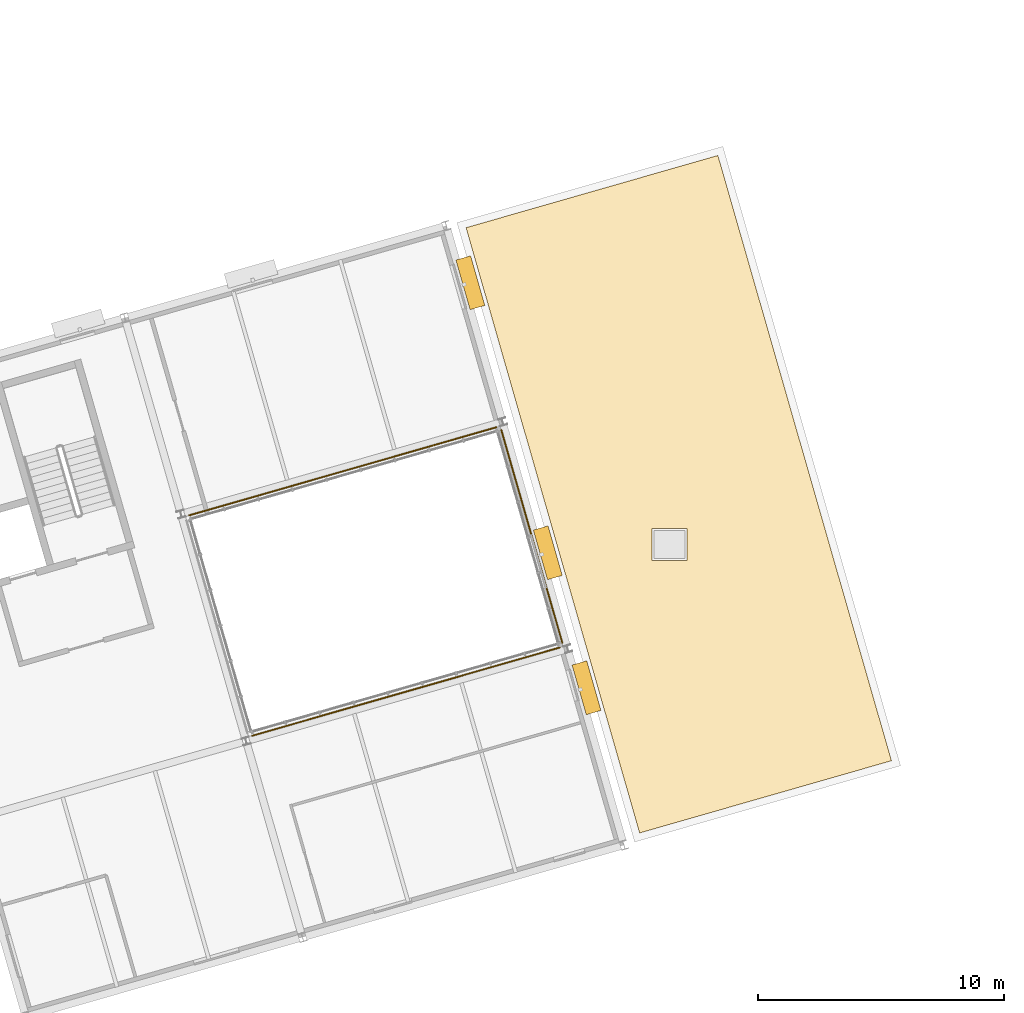
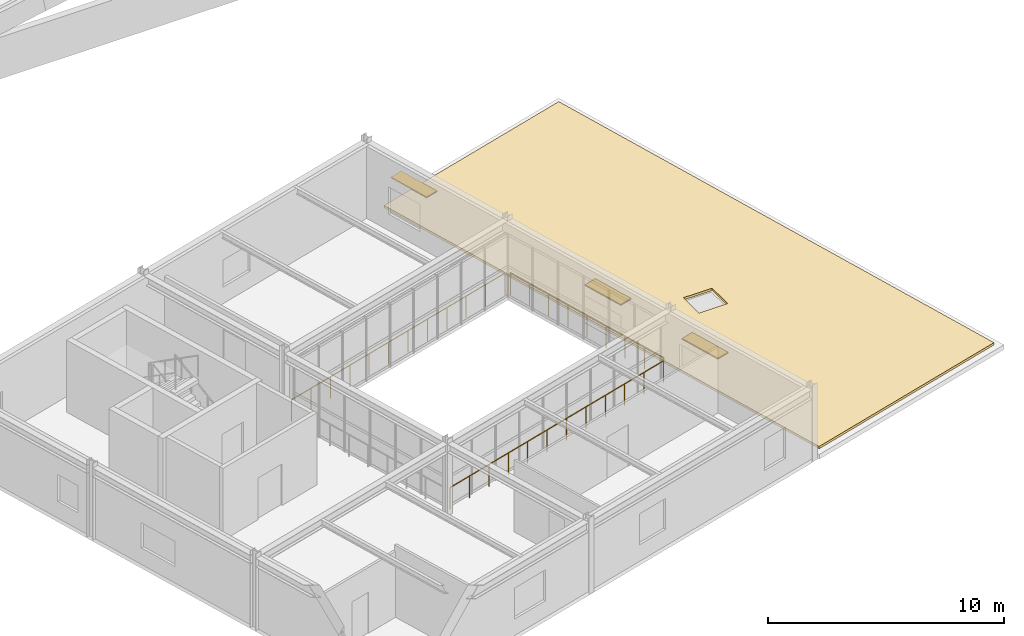
# One storey, part 44 of 44: 3 railings, 3 shading devices, 1 covering.
"""IFC4 building model written with IfcOpenShell, lengths in metres."""

from ifc_helpers import new_model, si_unit, direction, frame, origin, origin_2d, place, context, subcontext, project, spatial, polyline, rectangle, circle, outline, extrude, material, layer, layer_set, type_object, element, save


model = new_model("IFC4")

# Units and contexts
model_context = context("Model", 3, precision=1e-05, world=origin(), true_north=direction((0.0, 1.0)))
body_context = subcontext(model_context, "Body", "Model", "MODEL_VIEW")
ifc_project = project(units=[si_unit("LENGTHUNIT", "METRE"), si_unit("AREAUNIT", "SQUARE_METRE"), si_unit("VOLUMEUNIT", "CUBIC_METRE"), si_unit("PLANEANGLEUNIT", "RADIAN"), si_unit("MASSUNIT", "GRAM", prefix="KILO")], contexts=[model_context])

# Site, building, storey
site_placement = place(None, origin())
site = spatial("IfcSite", under=ifc_project, at=site_placement, CompositionType="ELEMENT")
building_placement = place(site_placement, origin())
building = spatial("IfcBuilding", under=site, at=building_placement, Name="Varnklinge Art Gallery", CompositionType="ELEMENT")
storey_placement = place(building_placement, frame((0.0, 0.0, 13.679931640625)))
storey = spatial("IfcBuildingStorey", under=building, at=storey_placement, Name="L03", CompositionType="ELEMENT", Elevation=13.679931640625)

# Railings
ifc_material_1 = material(Name="Anodised Aluminium", Category="aluminium")
railing_type = type_object("IfcRailingType", Name="BAL-01", PredefinedType="BALUSTRADE", material=ifc_material_1)
railing_1_placement = place(storey_placement, frame((146.53271484375, 24.812255859375, 0.0)))
element("IfcRailing", 1, at=railing_1_placement, inside=storey, type_object=railing_type, Name="BAL-V6C-L03-1", PredefinedType="BALUSTRADE", context=body_context, shape_type="SweptSolid", body=[
    extrude(circle(Radius=0.02392578125, at=origin_2d()), frame((0.0, 0.0, 1.11572265625), z_axis=(-0.961262007285, -0.275636270019, 0.0), x_axis=(0.275636270019, -0.961262007285, 0.0)), (0.0, 0.0, 1.0), 13.0),
    extrude(circle(Radius=0.02099609375, at=origin_2d()), origin(), (0.0, 0.0, 1.0), 1.091796875),
    extrude(circle(Radius=0.02099609375, at=origin_2d()), frame((-1.135986328125, -0.32568359375, 0.0)), (0.0, 0.0, 1.0), 1.091796875),
    extrude(circle(Radius=0.02099609375, at=origin_2d()), frame((-2.27197265625, -0.651611328125, 0.0)), (0.0, 0.0, 1.0), 1.091796875),
    extrude(circle(Radius=0.02099609375, at=origin_2d()), frame((-3.408203125, -0.977294921875, 0.0)), (0.0, 0.0, 1.0), 1.091796875),
    extrude(circle(Radius=0.02099609375, at=origin_2d()), frame((-4.544189453125, -1.302978515625, 0.0)), (0.0, 0.0, 1.0), 1.091796875),
    extrude(circle(Radius=0.02099609375, at=origin_2d()), frame((-5.68017578125, -1.628662109375, 0.0)), (0.0, 0.0, 1.0), 1.091796875),
    extrude(circle(Radius=0.02099609375, at=origin_2d()), frame((-6.816162109375, -1.95458984375, 0.0)), (0.0, 0.0, 1.0), 1.091796875),
    extrude(circle(Radius=0.02099609375, at=origin_2d()), frame((-7.9521484375, -2.2802734375, 0.0)), (0.0, 0.0, 1.0), 1.091796875),
    extrude(circle(Radius=0.02099609375, at=origin_2d()), frame((-9.088134765625, -2.60595703125, 0.0)), (0.0, 0.0, 1.0), 1.091796875),
    extrude(circle(Radius=0.02099609375, at=origin_2d()), frame((-10.224365234375, -2.931640625, 0.0)), (0.0, 0.0, 1.0), 1.091796875),
    extrude(circle(Radius=0.02099609375, at=origin_2d()), frame((-11.3603515625, -3.257568359375, 0.0)), (0.0, 0.0, 1.0), 1.091796875),
    extrude(circle(Radius=0.02099609375, at=origin_2d()), frame((-12.496337890625, -3.583251953125, 0.0)), (0.0, 0.0, 1.0), 1.091796875),
])
railing_2_placement = place(storey_placement, frame((144.16162109375, 33.661376953125, 0.0)))
element("IfcRailing", 2, at=railing_2_placement, inside=storey, type_object=railing_type, Name="BAL-V6C-L03-2", PredefinedType="BALUSTRADE", context=body_context, shape_type="SweptSolid", body=[
    extrude(circle(Radius=0.02392578125, at=origin_2d()), frame((0.0, 0.0, 1.11572265625), z_axis=(0.275634611374, -0.96126248289, 0.0), x_axis=(0.96126248289, 0.275634611374, 0.0)), (0.0, 0.0, 1.0), 9.0),
    extrude(circle(Radius=0.02099609375, at=origin_2d()), origin(), (0.0, 0.0, 1.0), 1.091796875),
    extrude(circle(Radius=0.02099609375, at=origin_2d()), frame((0.31005859375, -1.08154296875, 0.0)), (0.0, 0.0, 1.0), 1.091796875),
    extrude(circle(Radius=0.02099609375, at=origin_2d()), frame((0.6201171875, -2.162841796875, 0.0)), (0.0, 0.0, 1.0), 1.091796875),
    extrude(circle(Radius=0.02099609375, at=origin_2d()), frame((0.93017578125, -3.244140625, 0.0)), (0.0, 0.0, 1.0), 1.091796875),
    extrude(circle(Radius=0.02099609375, at=origin_2d()), frame((1.240234375, -4.32568359375, 0.0)), (0.0, 0.0, 1.0), 1.091796875),
    extrude(circle(Radius=0.02099609375, at=origin_2d()), frame((1.550537109375, -5.4072265625, 0.0)), (0.0, 0.0, 1.0), 1.091796875),
    extrude(circle(Radius=0.02099609375, at=origin_2d()), frame((1.860595703125, -6.488525390625, 0.0)), (0.0, 0.0, 1.0), 1.091796875),
    extrude(circle(Radius=0.02099609375, at=origin_2d()), frame((2.170654296875, -7.56982421875, 0.0)), (0.0, 0.0, 1.0), 1.091796875),
    extrude(circle(Radius=0.02099609375, at=origin_2d()), frame((2.480712890625, -8.6513671875, 0.0)), (0.0, 0.0, 1.0), 1.091796875),
])
railing_3_placement = place(storey_placement, frame((131.46728515625, 30.187744140625, 0.0)))
element("IfcRailing", 3, at=railing_3_placement, inside=storey, type_object=railing_type, Name="BAL-V6C-L03-3", PredefinedType="BALUSTRADE", context=body_context, shape_type="SweptSolid", body=[
    extrude(circle(Radius=0.02392578125, at=origin_2d()), frame((0.0, 0.0, 1.11572265625), z_axis=(0.961262007285, 0.275636270019, 0.0), x_axis=(-0.275636270019, 0.961262007285, 0.0)), (0.0, 0.0, 1.0), 13.0),
    extrude(circle(Radius=0.02099609375, at=origin_2d()), origin(), (0.0, 0.0, 1.0), 1.091796875),
    extrude(circle(Radius=0.02099609375, at=origin_2d()), frame((1.135986328125, 0.32568359375, 0.0)), (0.0, 0.0, 1.0), 1.091796875),
    extrude(circle(Radius=0.02099609375, at=origin_2d()), frame((2.27197265625, 0.651611328125, 0.0)), (0.0, 0.0, 1.0), 1.091796875),
    extrude(circle(Radius=0.02099609375, at=origin_2d()), frame((3.408203125, 0.977294921875, 0.0)), (0.0, 0.0, 1.0), 1.091796875),
    extrude(circle(Radius=0.02099609375, at=origin_2d()), frame((4.544189453125, 1.302978515625, 0.0)), (0.0, 0.0, 1.0), 1.091796875),
    extrude(circle(Radius=0.02099609375, at=origin_2d()), frame((5.68017578125, 1.628662109375, 0.0)), (0.0, 0.0, 1.0), 1.091796875),
    extrude(circle(Radius=0.02099609375, at=origin_2d()), frame((6.816162109375, 1.95458984375, 0.0)), (0.0, 0.0, 1.0), 1.091796875),
    extrude(circle(Radius=0.02099609375, at=origin_2d()), frame((7.9521484375, 2.2802734375, 0.0)), (0.0, 0.0, 1.0), 1.091796875),
    extrude(circle(Radius=0.02099609375, at=origin_2d()), frame((9.088134765625, 2.60595703125, 0.0)), (0.0, 0.0, 1.0), 1.091796875),
    extrude(circle(Radius=0.02099609375, at=origin_2d()), frame((10.224365234375, 2.931640625, 0.0)), (0.0, 0.0, 1.0), 1.091796875),
    extrude(circle(Radius=0.02099609375, at=origin_2d()), frame((11.3603515625, 3.257568359375, 0.0)), (0.0, 0.0, 1.0), 1.091796875),
    extrude(circle(Radius=0.02099609375, at=origin_2d()), frame((12.496337890625, 3.583251953125, 0.0)), (0.0, 0.0, 1.0), 1.091796875),
])

# Covering
ifc_material_2 = material(Name="EPDM & Intensive Green Roof Build-up", Category="membrane")
ifc_layer_1 = layer(ifc_material_2, 0.1201171875)
ifc_layer_set_1 = layer_set([ifc_layer_1], Name="EPDM & Intensive Green Roof Build-up")
covering_type = type_object("IfcCoveringType", Name="RFG-GRN", PredefinedType="ROOFING", material=ifc_layer_set_1)
covering_placement = place(storey_placement, origin())
element("IfcCovering", 4, at=covering_placement, inside=storey, type_object=covering_type, Name="L03 Roof Covering 04", PredefinedType="ROOFING", context=body_context, shape_type="SweptSolid", body=[
    extrude(outline(polyline([(160.023193359375, 20.21240234375), (152.966796875, 44.82080078125), (142.7294921875, 41.88525390625), (149.78564453125, 17.27685546875), (160.023193359375, 20.21240234375)]), holes=[polyline([(151.705078125, 28.344970703125), (151.705078125, 29.655029296875), (150.294921875, 29.655029296875), (150.294921875, 28.344970703125), (151.705078125, 28.344970703125)])]), origin(), (0.0, 0.0, 1.0), 0.1201171875),
])

# Shading devices
ifc_material_3 = material(Name="Anodised Aluminium", Category="aluminium")
ifc_layer_2 = layer(ifc_material_3, 0.044921875)
ifc_layer_set_2 = layer_set([ifc_layer_2], Name="Anodised Aluminium")
shading_device_type = type_object("IfcShadingDeviceType", Name="SHD-FIN", PredefinedType="JALOUSIE", material=ifc_layer_set_2)
for number, where, z_axis, x_axis, name in (
    (5, (142.9033203125, 39.646484375, 2.47509765625), (0.0, 0.0, 1.0), (0.275637355817, -0.961261695938, 0.0), "L03 Studio Solar Brise-Soleil Fin EW-V6-L03-03.1"),
    (6, (146.051025390625, 28.668701171875, 2.47509765625), (0.0, 0.0, 1.0), (0.275637355817, -0.961261695938, 0.0), "L03 Studio Solar Brise-Soleil Fin EW-V6-L03-03.3"),
    (7, (147.624755859375, 23.179931640625, 2.47509765625), (0.0, 0.0, 1.0), (0.275637355817, -0.961261695938, 0.0), "L03 Studio Solar Brise-Soleil Fin EW-V6-L03-03.4"),
):
    element("IfcShadingDevice", number, at=place(storey_placement, frame(where, z_axis=z_axis, x_axis=x_axis)), inside=storey, type_object=shading_device_type, Name=name, PredefinedType="JALOUSIE", context=body_context, shape_type="SweptSolid", body=[
        extrude(rectangle(XDim=2.10009765625, YDim=0.6201171875, at=origin_2d()), origin(), (0.0, 0.0, 1.0), 0.050048828125),
    ])

save(model, "model.ifc")
